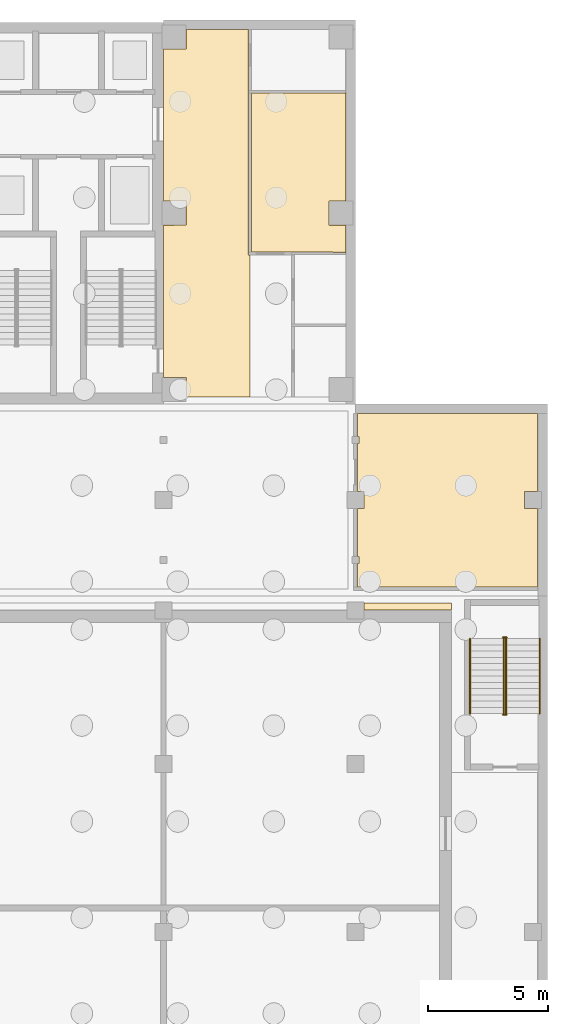
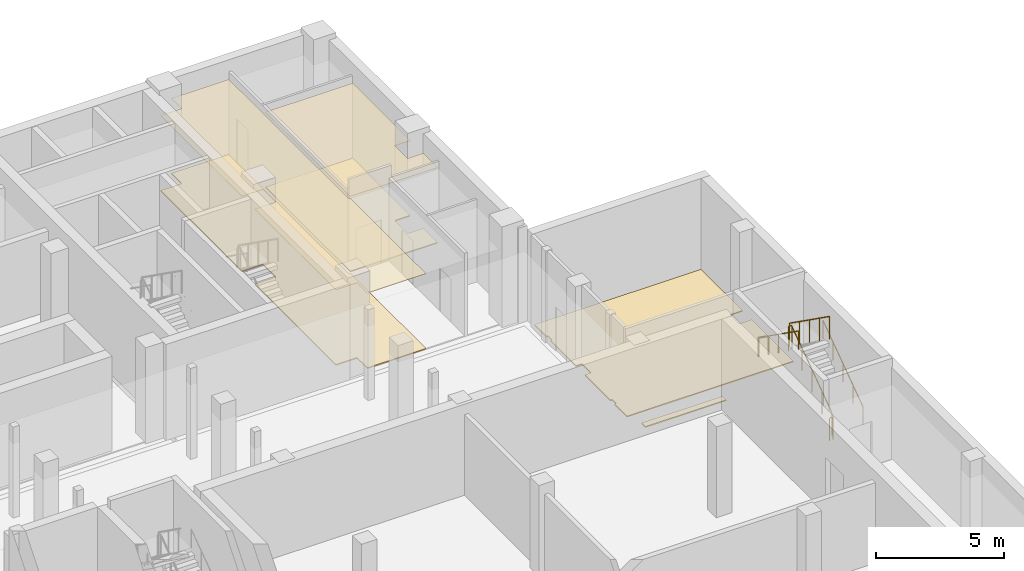
# One storey, part 19 of 21: 6 coverings, 6 railings.
"""IFC4 building model written with IfcOpenShell, lengths in metres."""

from ifc_helpers import new_model, si_unit, direction, frame, origin, origin_2d, place, context, subcontext, project, spatial, polyline, circle, outline, extrude, material, layer, layer_set, type_object, element, save


model = new_model("IFC4")

# Units and contexts
model_context = context("Model", 3, precision=1e-05, world=origin(), true_north=direction((0.0, 1.0)))
body_context = subcontext(model_context, "Body", "Model", "MODEL_VIEW")
ifc_project = project(units=[si_unit("LENGTHUNIT", "METRE"), si_unit("AREAUNIT", "SQUARE_METRE"), si_unit("VOLUMEUNIT", "CUBIC_METRE"), si_unit("PLANEANGLEUNIT", "RADIAN"), si_unit("MASSUNIT", "GRAM", prefix="KILO")], contexts=[model_context])

# Site, building, storey
site_placement = place(None, origin())
site = spatial("IfcSite", under=ifc_project, at=site_placement, CompositionType="ELEMENT")
building_placement = place(site_placement, origin())
building = spatial("IfcBuilding", under=site, at=building_placement, Name="Lantern Court Media Centre", CompositionType="ELEMENT")
storey_placement = place(building_placement, frame((0.0, 0.0, -4.800048828125)))
storey = spatial("IfcBuildingStorey", under=building, at=storey_placement, Name="B1", CompositionType="ELEMENT", Elevation=-4.800048828125)

# Coverings
ifc_material_1 = material(Name="Carpet")
ifc_layer_1 = layer(ifc_material_1, 0.050048828125)
ifc_layer_set_1 = layer_set([ifc_layer_1], Name="Carpet")
covering_type_1 = type_object("IfcCoveringType", Name="Carpet floor finish", PredefinedType="FLOORING", material=ifc_layer_set_1)
covering_1_placement = place(storey_placement, origin())
element("IfcCovering", 1, at=covering_1_placement, inside=storey, type_object=covering_type_1, Name="Chiller Plant Room floor finish", PredefinedType="FLOORING", context=body_context, shape_type="SweptSolid", body=[
    extrude(outline(polyline([(91.66748046875, 60.9560546875), (95.594970703125, 60.9560546875), (95.594970703125, 56.455078125), (94.89501953125, 56.449951171875), (94.895751953125, 55.447265625), (95.594970703125, 55.445068359375), (95.594970703125, 54.324951171875), (91.66748046875, 54.33740234375), (91.66748046875, 60.9560546875)])), origin(), (0.0, 0.0, 1.0), 0.050048828125),
])
covering_2_placement = place(storey_placement, origin())
element("IfcCovering", 2, at=covering_2_placement, inside=storey, type_object=covering_type_1, Name="Scenery Store floor finish", PredefinedType="FLOORING", context=body_context, shape_type="SweptSolid", body=[
    extrude(outline(polyline([(100.0, 39.699951171875), (100.0, 39.405029296875), (96.35498046875, 39.405029296875), (96.35498046875, 39.699951171875), (100.0, 39.699951171875)])), origin(), (0.0, 0.0, 1.0), 0.050048828125),
])
covering_3_placement = place(storey_placement, origin())
element("IfcCovering", 3, at=covering_3_placement, inside=storey, type_object=covering_type_1, Name="Metro Link Store floor finish", PredefinedType="FLOORING", context=body_context, shape_type="SweptSolid", body=[
    extrude(outline(polyline([(96.080078125, 47.594970703125), (103.594970703125, 47.594970703125), (103.594970703125, 44.35498046875), (103.044921875, 44.35009765625), (103.046142578125, 43.646728515625), (103.594970703125, 43.64501953125), (103.594970703125, 40.3798828125), (96.080078125, 40.3798828125), (96.080078125, 41.344970703125), (96.155029296875, 41.35009765625), (96.15478515625, 41.65087890625), (96.080078125, 41.655029296875), (96.080078125, 43.64501953125), (96.35498046875, 43.64990234375), (96.354736328125, 44.351806640625), (96.080078125, 44.35498046875), (96.080078125, 46.344970703125), (96.155029296875, 46.35009765625), (96.15478515625, 46.65087890625), (96.080078125, 46.655029296875), (96.080078125, 47.594970703125)])), origin(), (0.0, 0.0, 1.0), 0.050048828125),
])

# Railings
ifc_material_2 = material(Name="Powder-coated steel", Category="steel")
railing_type_1 = type_object("IfcRailingType", Name="Stair guard 1100", PredefinedType="GUARDRAIL", material=ifc_material_2)
railing_1_placement = place(storey_placement, frame((102.27587890625, 35.10009765625, 0.1845703125)))
element("IfcRailing", 4, at=railing_1_placement, inside=storey, type_object=railing_type_1, Name="B1 ST-V2-ST-E stair guard 1", PredefinedType="GUARDRAIL", context=body_context, shape_type="SweptSolid", body=[
    extrude(circle(Radius=0.02392578125, at=origin_2d()), frame((0.0, 0.0, 1.076171875), z_axis=(0.0, 0.815325456587, 0.579002935952), x_axis=(-1.0, 0.0, 0.0)), (0.0, 0.0, 1.0), 3.826416015625),
    extrude(circle(Radius=0.02099609375, at=origin_2d()), origin(), (0.0, 0.0, 1.0), 1.052001953125),
    extrude(circle(Radius=0.02099609375, at=origin_2d()), frame((0.0, 0.780029296875, 0.553955078125)), (0.0, 0.0, 1.0), 1.052001953125),
    extrude(circle(Radius=0.02099609375, at=origin_2d()), frame((0.0, 1.56005859375, 1.10791015625)), (0.0, 0.0, 1.0), 1.052001953125),
    extrude(circle(Radius=0.02099609375, at=origin_2d()), frame((0.0, 2.33984375, 1.66162109375)), (0.0, 0.0, 1.0), 1.052001953125),
    extrude(circle(Radius=0.02099609375, at=origin_2d()), frame((0.0, 3.119873046875, 2.215576171875)), (0.0, 0.0, 1.0), 1.052001953125),
])
railing_2_placement = place(storey_placement, frame((102.300048828125, 38.27001953125, 2.400146484375)))
element("IfcRailing", 5, at=railing_2_placement, inside=storey, type_object=railing_type_1, Name="B1 ST-V2-ST-E stair guard 2", PredefinedType="GUARDRAIL", context=body_context, shape_type="SweptSolid", body=[
    extrude(circle(Radius=0.02392578125, at=origin_2d()), frame((0.0, 0.0, 1.076171875), z_axis=(-1.0, 0.0, 0.0), x_axis=(0.0, -1.0, 0.0)), (0.0, 0.0, 1.0), 0.150146484375),
    extrude(circle(Radius=0.02099609375, at=origin_2d()), origin(), (0.0, 0.0, 1.0), 1.052001953125),
    extrude(circle(Radius=0.02099609375, at=origin_2d()), frame((-0.150146484375, 0.0, 0.0)), (0.0, 0.0, 1.0), 1.052001953125),
])
railing_3_placement = place(storey_placement, frame((102.174072265625, 38.219970703125, 2.584716796875)))
element("IfcRailing", 6, at=railing_3_placement, inside=storey, type_object=railing_type_1, Name="B1 ST-V2-ST-E stair guard 3", PredefinedType="GUARDRAIL", context=body_context, shape_type="SweptSolid", body=[
    extrude(circle(Radius=0.02392578125, at=origin_2d()), frame((0.0, 0.0, 1.076171875), z_axis=(0.0, -0.815355575968, 0.57896052088), x_axis=(1.0, 0.0, 0.0)), (0.0, 0.0, 1.0), 3.826416015625),
    extrude(circle(Radius=0.02099609375, at=origin_2d()), origin(), (0.0, 0.0, 1.0), 1.052001953125),
    extrude(circle(Radius=0.02099609375, at=origin_2d()), frame((0.0, -0.780029296875, 0.5537109375)), (0.0, 0.0, 1.0), 1.052001953125),
    extrude(circle(Radius=0.02099609375, at=origin_2d()), frame((0.0, -1.56005859375, 1.107666015625)), (0.0, 0.0, 1.0), 1.052001953125),
    extrude(circle(Radius=0.02099609375, at=origin_2d()), frame((0.0, -2.33984375, 1.66162109375)), (0.0, 0.0, 1.0), 1.052001953125),
    extrude(circle(Radius=0.02099609375, at=origin_2d()), frame((0.0, -3.119873046875, 2.21533203125)), (0.0, 0.0, 1.0), 1.052001953125),
])
railing_4_placement = place(storey_placement, frame((102.300048828125, 35.050048828125, 0.0)))
element("IfcRailing", 7, at=railing_4_placement, inside=storey, type_object=railing_type_1, Name="B1 ST-V2-ST-E stair guard 4", PredefinedType="GUARDRAIL", context=body_context, shape_type="SweptSolid", body=[
    extrude(circle(Radius=0.02392578125, at=origin_2d()), frame((0.0, 0.0, 1.076171875), z_axis=(-1.0, 0.0, 0.0), x_axis=(0.0, -1.0, 0.0)), (0.0, 0.0, 1.0), 0.150146484375),
    extrude(circle(Radius=0.02099609375, at=origin_2d()), origin(), (0.0, 0.0, 1.0), 1.052001953125),
    extrude(circle(Radius=0.02099609375, at=origin_2d()), frame((-0.150146484375, 0.0, 0.0)), (0.0, 0.0, 1.0), 1.052001953125),
])
railing_type_2 = type_object("IfcRailingType", Name="Stair handrail 900", PredefinedType="HANDRAIL", material=ifc_material_2)
railing_5_placement = place(storey_placement, frame((103.674072265625, 35.10009765625, 0.1845703125)))
element("IfcRailing", 8, at=railing_5_placement, inside=storey, type_object=railing_type_2, Name="B1 ST-V2-ST-E stair handrail 1", PredefinedType="HANDRAIL", context=body_context, shape_type="SweptSolid", body=[
    extrude(circle(Radius=0.02392578125, at=origin_2d()), frame((0.0, 0.0, 0.8759765625), z_axis=(0.0, 0.815325456587, 0.579002935952), x_axis=(-1.0, 0.0, 0.0)), (0.0, 0.0, 1.0), 3.826416015625),
    extrude(circle(Radius=0.02099609375, at=origin_2d()), origin(), (0.0, 0.0, 1.0), 0.851806640625),
    extrude(circle(Radius=0.02099609375, at=origin_2d()), frame((0.0, 0.780029296875, 0.553955078125)), (0.0, 0.0, 1.0), 0.851806640625),
    extrude(circle(Radius=0.02099609375, at=origin_2d()), frame((0.0, 1.56005859375, 1.10791015625)), (0.0, 0.0, 1.0), 0.851806640625),
    extrude(circle(Radius=0.02099609375, at=origin_2d()), frame((0.0, 2.33984375, 1.66162109375)), (0.0, 0.0, 1.0), 0.851806640625),
    extrude(circle(Radius=0.02099609375, at=origin_2d()), frame((0.0, 3.119873046875, 2.215576171875)), (0.0, 0.0, 1.0), 0.851806640625),
])
railing_6_placement = place(storey_placement, frame((100.77587890625, 38.219970703125, 2.584716796875)))
element("IfcRailing", 9, at=railing_6_placement, inside=storey, type_object=railing_type_2, Name="B1 ST-V2-ST-E stair handrail 2", PredefinedType="HANDRAIL", context=body_context, shape_type="SweptSolid", body=[
    extrude(circle(Radius=0.02392578125, at=origin_2d()), frame((0.0, 0.0, 0.8759765625), z_axis=(0.0, -0.815355575968, 0.57896052088), x_axis=(1.0, 0.0, 0.0)), (0.0, 0.0, 1.0), 3.826416015625),
    extrude(circle(Radius=0.02099609375, at=origin_2d()), origin(), (0.0, 0.0, 1.0), 0.851806640625),
    extrude(circle(Radius=0.02099609375, at=origin_2d()), frame((0.0, -0.780029296875, 0.5537109375)), (0.0, 0.0, 1.0), 0.851806640625),
    extrude(circle(Radius=0.02099609375, at=origin_2d()), frame((0.0, -1.56005859375, 1.107666015625)), (0.0, 0.0, 1.0), 0.851806640625),
    extrude(circle(Radius=0.02099609375, at=origin_2d()), frame((0.0, -2.33984375, 1.66162109375)), (0.0, 0.0, 1.0), 0.851806640625),
    extrude(circle(Radius=0.02099609375, at=origin_2d()), frame((0.0, -3.119873046875, 2.21533203125)), (0.0, 0.0, 1.0), 0.851806640625),
])

# Coverings
ifc_material_3 = material(Name="Mineral fibre ceiling tile")
ifc_layer_2 = layer(ifc_material_3, 0.02001953125)
ifc_layer_set_2 = layer_set([ifc_layer_2], Name="Mineral fibre ceiling tile")
covering_type_2 = type_object("IfcCoveringType", Name="Suspended ceiling tile", PredefinedType="CEILING", material=ifc_layer_set_2)
covering_4_placement = place(storey_placement, frame((0.0, 0.0, 3.60009765625)))
element("IfcCovering", 10, at=covering_4_placement, inside=storey, type_object=covering_type_2, Name="Corridor ceiling", PredefinedType="CEILING", context=body_context, shape_type="SweptSolid", body=[
    extrude(outline(polyline([(91.60009765625, 48.300048828125), (88.950439453125, 48.300048828125), (88.950439453125, 49.100341796875), (88.00048828125, 49.1005859375), (88.00048828125, 55.449462890625), (88.950439453125, 55.449951171875), (88.950439453125, 56.450439453125), (88.00048828125, 56.450439453125), (88.00048828125, 62.799560546875), (88.950439453125, 62.799560546875), (88.950439453125, 63.599609375), (91.537109375, 63.599609375), (91.537109375, 54.20751953125), (91.60009765625, 54.20703125), (91.60009765625, 48.300048828125)])), origin(), (0.0, 0.0, 1.0), 0.02001953125),
])
covering_5_placement = place(storey_placement, frame((0.0, 0.0, 3.60009765625)))
element("IfcCovering", 11, at=covering_5_placement, inside=storey, type_object=covering_type_2, Name="Chiller Plant Room ceiling", PredefinedType="CEILING", context=body_context, shape_type="SweptSolid", body=[
    extrude(outline(polyline([(95.599609375, 61.010986328125), (95.599609375, 56.450439453125), (94.8994140625, 56.449951171875), (94.899658203125, 55.44970703125), (95.599609375, 55.449462890625), (95.599609375, 54.2705078125), (95.594970703125, 54.320556640625), (91.6630859375, 54.3330078125), (91.6630859375, 60.96044921875), (95.594970703125, 60.96044921875), (95.599609375, 61.010986328125)])), origin(), (0.0, 0.0, 1.0), 0.02001953125),
])
ifc_material_4 = material(Name="Terrazzo")
ifc_layer_3 = layer(ifc_material_4, 0.050048828125)
ifc_layer_set_3 = layer_set([ifc_layer_3], Name="Terrazzo")
covering_type_3 = type_object("IfcCoveringType", Name="Terrazzo floor finish", PredefinedType="FLOORING", material=ifc_layer_set_3)
covering_6_placement = place(storey_placement, origin())
element("IfcCovering", 12, at=covering_6_placement, inside=storey, type_object=covering_type_3, Name="Corridor floor finish", PredefinedType="FLOORING", context=body_context, shape_type="SweptSolid", body=[
    extrude(outline(polyline([(91.60009765625, 48.300048828125), (88.955078125, 48.300048828125), (88.953125, 49.103759765625), (88.0048828125, 49.10498046875), (88.0048828125, 55.445068359375), (88.955078125, 55.449951171875), (88.95361328125, 56.45361328125), (88.0048828125, 56.455078125), (88.0048828125, 62.794921875), (88.953125, 62.796142578125), (88.955078125, 63.594970703125), (91.532470703125, 63.594970703125), (91.532470703125, 54.20751953125), (91.60009765625, 54.202392578125), (91.60009765625, 48.300048828125)])), origin(), (0.0, 0.0, 1.0), 0.050048828125),
])

save(model, "model.ifc")
